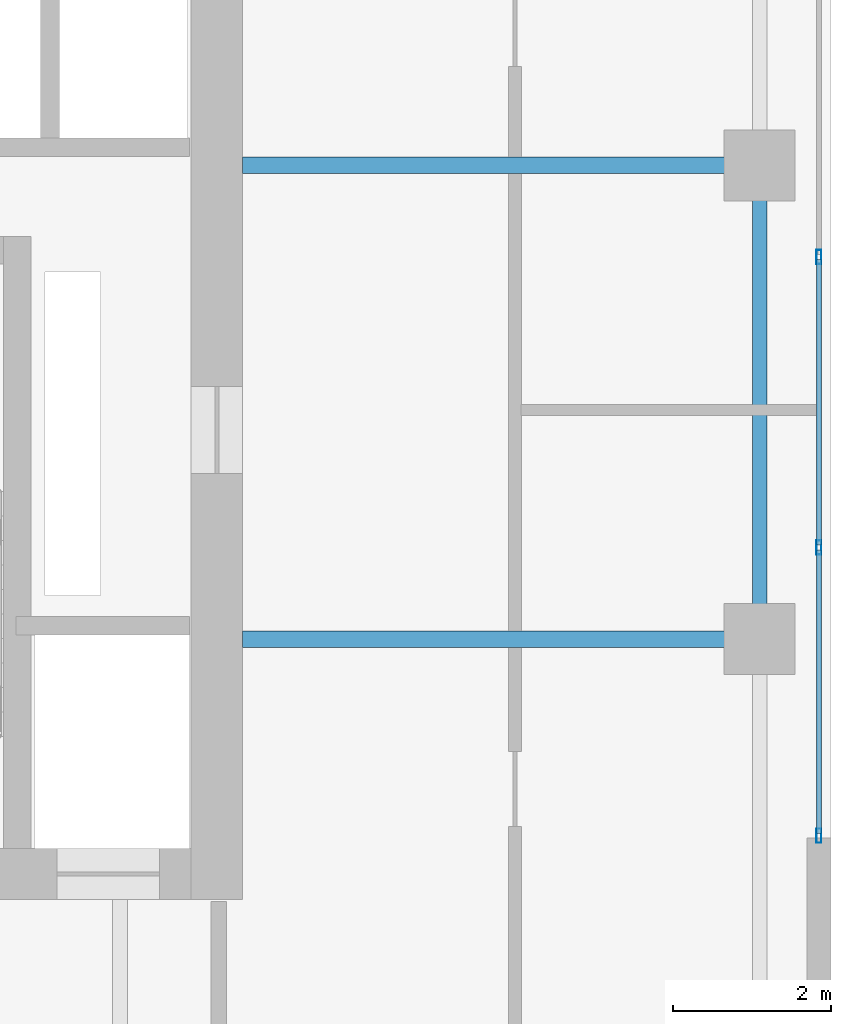
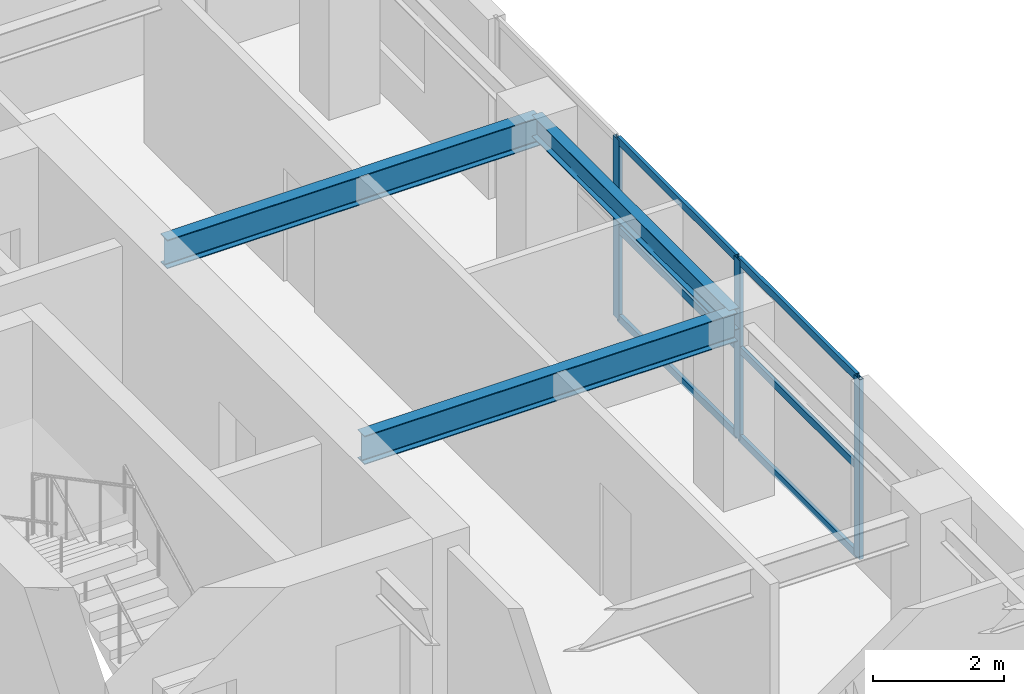
# One storey, part 12 of 24: 9 members, 3 beams, 1 element without a shape of its own.
"""IFC4 building model written with IfcOpenShell, lengths in metres."""

from ifc_helpers import new_model, si_unit, direction, frame, origin, origin_2d, place, context, subcontext, project, spatial, hollow_rectangle, i_section, extrude, source, transform, mapped, material, layer, layer_set, material_profile, profile_set, type_object, element, aggregate, save


model = new_model("IFC4")

# Units and contexts
model_context = context("Model", 3, precision=1e-05, world=origin(), true_north=direction((0.0, 1.0)))
body_context = subcontext(model_context, "Body", "Model", "MODEL_VIEW")
ifc_project = project(units=[si_unit("LENGTHUNIT", "METRE"), si_unit("AREAUNIT", "SQUARE_METRE"), si_unit("VOLUMEUNIT", "CUBIC_METRE"), si_unit("PLANEANGLEUNIT", "RADIAN"), si_unit("MASSUNIT", "GRAM", prefix="KILO")], contexts=[model_context])

# Site, building, storey
site_placement = place(None, origin())
site = spatial("IfcSite", under=ifc_project, at=site_placement, CompositionType="ELEMENT")
building_placement = place(site_placement, origin())
building = spatial("IfcBuilding", under=site, at=building_placement, Name="Khoralis Quay Care Tower", CompositionType="ELEMENT")
storey_placement = place(building_placement, frame((0.0, 0.0, 155.699951171875)))
storey = spatial("IfcBuildingStorey", under=building, at=storey_placement, Name="L40", CompositionType="ELEMENT", Elevation=155.699951171875)

# Beams
ifc_material_1 = material(Name="Steel S355", Category="steel")
ifc_material_profile_1 = material_profile(ifc_material_1, i_section(OverallWidth=0.179931640625, OverallDepth=0.39990234375, WebThickness=0.008544921875, FlangeThickness=0.013427734375, FilletRadius=0.02099609375, at=origin_2d()), Name="Steel S355")
ifc_profile_set_1 = profile_set([ifc_material_profile_1], Name="Steel S355")
beam_type_1 = type_object("IfcBeamType", Name="BM-IPE400", PredefinedType="SPANDREL", material=ifc_profile_set_1)
shared_shape_1 = source(origin(), body_context, "Body", "SweptSolid", [
    extrude(i_section(OverallWidth=0.179931640625, OverallDepth=0.39990234375, WebThickness=0.008544921875, FlangeThickness=0.013427734375, FilletRadius=0.02099609375, at=origin_2d()), origin(), (0.0, 0.0, 1.0), 6.0),
])
beam_placement = place(storey_placement, frame((44.10009765625, 18.0, 3.14013671875), z_axis=(0.0, 1.0, 0.0), x_axis=(-1.0, 0.0, 0.0)))
element("IfcBeam", 1, at=beam_placement, inside=storey, type_object=beam_type_1, Name="BM-TSP-L40-16", PredefinedType="SPANDREL", context=body_context, shape_type="MappedRepresentation", body=[
    mapped(shared_shape_1, transform((0.0, 0.0, 0.0), scale=1.0)),
])
ifc_material_profile_2 = material_profile(ifc_material_1, i_section(OverallWidth=0.208984375, OverallDepth=0.532958984375, WebThickness=0.01025390625, FlangeThickness=0.015625, FilletRadius=0.01611328125, at=origin_2d()), Name="Steel S355")
ifc_profile_set_2 = profile_set([ifc_material_profile_2], Name="Steel S355")
beam_type_2 = type_object("IfcBeamType", Name="BM-W530X92", PredefinedType="BEAM", material=ifc_profile_set_2)
shared_shape_2 = source(origin(), body_context, "Body", "SweptSolid", [
    extrude(i_section(OverallWidth=0.208984375, OverallDepth=0.532958984375, WebThickness=0.01025390625, FlangeThickness=0.015625, FilletRadius=0.01611328125, at=origin_2d()), origin(), (0.0, 0.0, 1.0), 6.552001953125),
])
for number, where, z_axis, x_axis, name in (
    (2, (37.548095703125, 18.0, 3.073486328125), (1.0, 0.0, 0.0), (0.0, 1.0, 0.0), "BM-TGXE-L40-180"),
    (3, (37.548095703125, 24.0, 3.073486328125), (1.0, 0.0, 0.0), (0.0, 1.0, 0.0), "BM-TGXE-L40-240"),
):
    element("IfcBeam", number, at=place(storey_placement, frame(where, z_axis=z_axis, x_axis=x_axis)), inside=storey, type_object=beam_type_2, Name=name, PredefinedType="BEAM", context=body_context, shape_type="MappedRepresentation", body=[
        mapped(shared_shape_2, transform((0.0, 0.0, 0.0), scale=1.0)),
    ])

# Curtain wall, members
ifc_material_2 = material(Name="Pale anodised aluminium", Category="aluminium")
ifc_layer = layer(ifc_material_2, 0.159912109375)
ifc_layer_set = layer_set([ifc_layer], Name="Pale anodised aluminium")
curtain_wall_type = type_object("IfcCurtainWallType", Name="CW-SYS-Z3", PredefinedType="NOTDEFINED", material=ifc_layer_set)
curtain_wall_placement = place(storey_placement, origin())
curtain_wall = element("IfcCurtainWall", 4, at=curtain_wall_placement, inside=storey, type_object=curtain_wall_type, Name="L40 Unitised Curtain Wall CW-L40-P1-E5", PredefinedType="NOTDEFINED")
ifc_material_profile_3 = material_profile(ifc_material_2, hollow_rectangle(XDim=0.06494140625, YDim=0.179931640625, WallThickness=0.00390625, at=origin_2d()), Name="Pale anodised aluminium")
ifc_profile_set_3 = profile_set([ifc_material_profile_3], Name="Pale anodised aluminium")
member_type_1 = type_object("IfcMemberType", Name="CW-MUL-180", PredefinedType="MULLION", material=ifc_profile_set_3)
shared_shape_3 = source(origin(), body_context, "Body", "SweptSolid", [
    extrude(hollow_rectangle(XDim=0.06494140625, YDim=0.179931640625, WallThickness=0.00390625, at=origin_2d()), origin(), (0.0, 0.0, 1.0), 3.340087890625),
])
member_1_placement = place(storey_placement, frame((44.85009765625, 15.510009765625, 0.0), z_axis=(0.0, 0.0, 1.0), x_axis=(-1.0, 0.0, 0.0)))
member_1 = element("IfcMember", 5, at=member_1_placement, type_object=member_type_1, Name="CW3 mullion 1", PredefinedType="MULLION", context=body_context, shape_type="MappedRepresentation", body=[
    mapped(shared_shape_3, transform((0.0, 0.0, 0.0), scale=1.0)),
])
member_2_placement = place(storey_placement, frame((44.85009765625, 19.159912109375, 0.0), z_axis=(0.0, 0.0, 1.0), x_axis=(-1.0, 0.0, 0.0)))
member_2 = element("IfcMember", 6, at=member_2_placement, type_object=member_type_1, Name="CW3 mullion 2", PredefinedType="MULLION", context=body_context, shape_type="MappedRepresentation", body=[
    mapped(shared_shape_3, transform((0.0, 0.0, 0.0), scale=1.0)),
])
member_3_placement = place(storey_placement, frame((44.85009765625, 22.840087890625, 0.0), z_axis=(0.0, 0.0, 1.0), x_axis=(-1.0, 0.0, 0.0)))
member_3 = element("IfcMember", 7, at=member_3_placement, type_object=member_type_1, Name="CW3 mullion 3", PredefinedType="MULLION", context=body_context, shape_type="MappedRepresentation", body=[
    mapped(shared_shape_3, transform((0.0, 0.0, 0.0), scale=1.0)),
])
ifc_material_profile_4 = material_profile(ifc_material_2, hollow_rectangle(XDim=0.06005859375, YDim=0.139892578125, WallThickness=0.00390625, at=origin_2d()), Name="Pale anodised aluminium")
ifc_profile_set_4 = profile_set([ifc_material_profile_4], Name="Pale anodised aluminium")
member_type_2 = type_object("IfcMemberType", Name="CW-TRN-140", PredefinedType="USERDEFINED", material=ifc_profile_set_4)
shared_shape_4 = source(origin(), body_context, "Body", "SweptSolid", [
    extrude(hollow_rectangle(XDim=0.06005859375, YDim=0.139892578125, WallThickness=0.00390625, at=origin_2d()), origin(), (0.0, 0.0, 1.0), 3.58984375),
])
member_4_placement = place(storey_placement, frame((44.85009765625, 15.5400390625, 0.030029296875), z_axis=(0.0, 1.0, 0.0), x_axis=(-1.0, 0.0, 0.0)))
member_4 = element("IfcMember", 8, at=member_4_placement, type_object=member_type_2, Name="CW3 transom 1.1", ObjectType="TRANSOM", PredefinedType="USERDEFINED", context=body_context, shape_type="MappedRepresentation", body=[
    mapped(shared_shape_4, transform((0.0, 0.0, 0.0), scale=1.0)),
])
member_5_placement = place(storey_placement, frame((44.85009765625, 15.5400390625, 1.670166015625), z_axis=(0.0, 1.0, 0.0), x_axis=(-1.0, 0.0, 0.0)))
member_5 = element("IfcMember", 9, at=member_5_placement, type_object=member_type_2, Name="CW3 transom 1.2", ObjectType="TRANSOM", PredefinedType="USERDEFINED", context=body_context, shape_type="MappedRepresentation", body=[
    mapped(shared_shape_4, transform((0.0, 0.0, 0.0), scale=1.0)),
])
member_6_placement = place(storey_placement, frame((44.85009765625, 15.5400390625, 3.31005859375), z_axis=(0.0, 1.0, 0.0), x_axis=(-1.0, 0.0, 0.0)))
member_6 = element("IfcMember", 10, at=member_6_placement, type_object=member_type_2, Name="CW3 transom 1.3", ObjectType="TRANSOM", PredefinedType="USERDEFINED", context=body_context, shape_type="MappedRepresentation", body=[
    mapped(shared_shape_4, transform((0.0, 0.0, 0.0), scale=1.0)),
])
shared_shape_5 = source(origin(), body_context, "Body", "SweptSolid", [
    extrude(hollow_rectangle(XDim=0.06005859375, YDim=0.139892578125, WallThickness=0.00390625, at=origin_2d()), origin(), (0.0, 0.0, 1.0), 3.6201171875),
])
member_7_placement = place(storey_placement, frame((44.85009765625, 19.18994140625, 0.030029296875), z_axis=(0.0, 1.0, 0.0), x_axis=(-1.0, 0.0, 0.0)))
member_7 = element("IfcMember", 11, at=member_7_placement, type_object=member_type_2, Name="CW3 transom 2.1", ObjectType="TRANSOM", PredefinedType="USERDEFINED", context=body_context, shape_type="MappedRepresentation", body=[
    mapped(shared_shape_5, transform((0.0, 0.0, 0.0), scale=1.0)),
])
member_8_placement = place(storey_placement, frame((44.85009765625, 19.18994140625, 1.670166015625), z_axis=(0.0, 1.0, 0.0), x_axis=(-1.0, 0.0, 0.0)))
member_8 = element("IfcMember", 12, at=member_8_placement, type_object=member_type_2, Name="CW3 transom 2.2", ObjectType="TRANSOM", PredefinedType="USERDEFINED", context=body_context, shape_type="MappedRepresentation", body=[
    mapped(shared_shape_5, transform((0.0, 0.0, 0.0), scale=1.0)),
])
member_9_placement = place(storey_placement, frame((44.85009765625, 19.18994140625, 3.31005859375), z_axis=(0.0, 1.0, 0.0), x_axis=(-1.0, 0.0, 0.0)))
member_9 = element("IfcMember", 13, at=member_9_placement, type_object=member_type_2, Name="CW3 transom 2.3", ObjectType="TRANSOM", PredefinedType="USERDEFINED", context=body_context, shape_type="MappedRepresentation", body=[
    mapped(shared_shape_5, transform((0.0, 0.0, 0.0), scale=1.0)),
])
aggregate(curtain_wall, [member_1, member_2, member_3, member_4, member_5, member_6, member_7, member_8, member_9])

save(model, "model.ifc")
